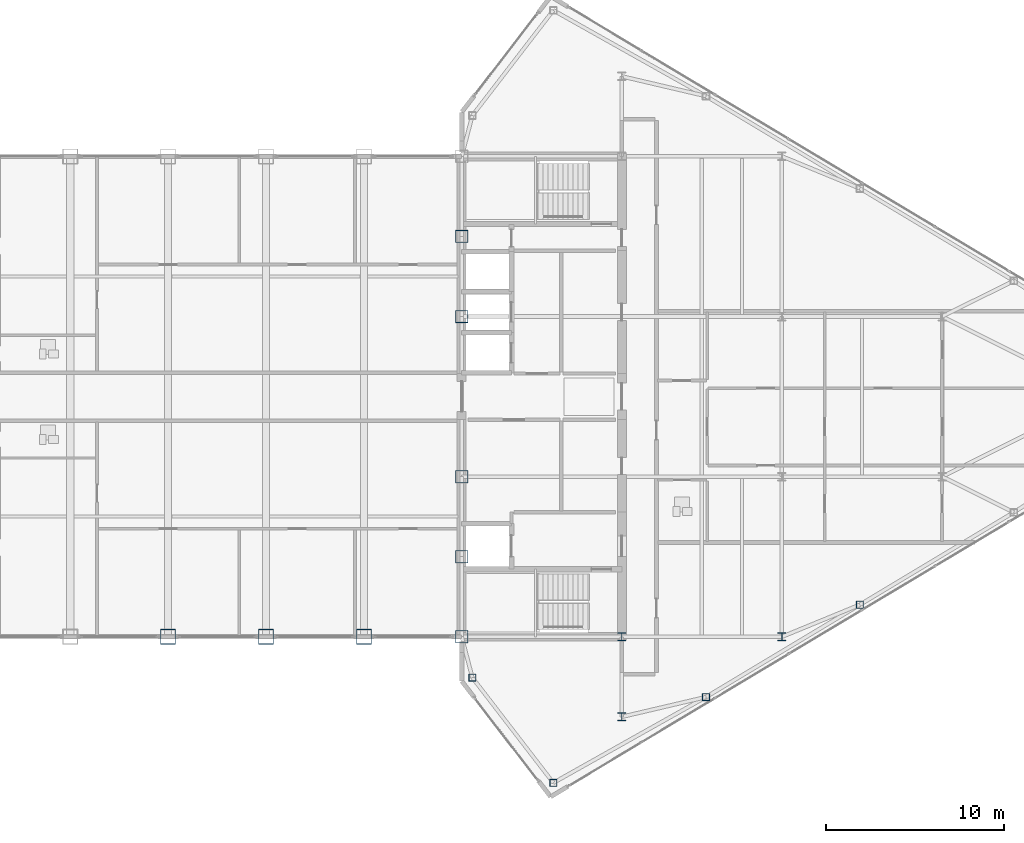
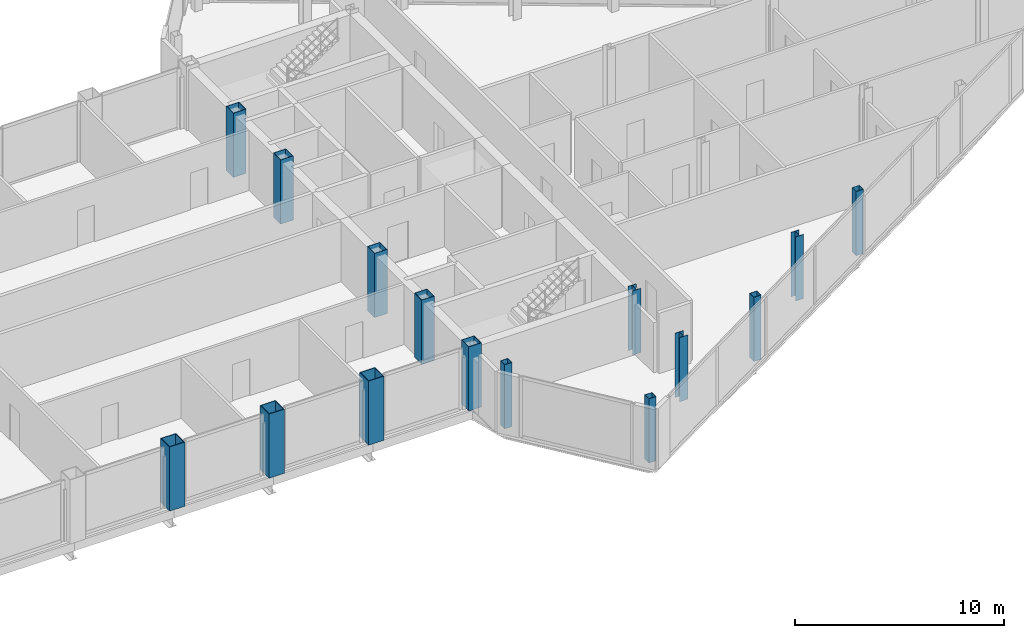
# One storey, part 4 of 29: 15 columns.
"""IFC4 building model written with IfcOpenShell, lengths in metres."""

from ifc_helpers import new_model, si_unit, direction, frame, origin, origin_2d, place, context, subcontext, project, spatial, hollow_rectangle, i_section, extrude, source, transform, mapped, material, material_profile, profile_set, type_object, type_shapes, element, save


model = new_model("IFC4")

# Units and contexts
model_context = context("Model", 3, precision=1e-05, world=origin(), true_north=direction((0.0, 1.0)))
body_context = subcontext(model_context, "Body", "Model", "MODEL_VIEW")
ifc_project = project(units=[si_unit("LENGTHUNIT", "METRE"), si_unit("AREAUNIT", "SQUARE_METRE"), si_unit("VOLUMEUNIT", "CUBIC_METRE"), si_unit("PLANEANGLEUNIT", "RADIAN"), si_unit("MASSUNIT", "GRAM", prefix="KILO")], contexts=[model_context])

# Site, building, storey
site_placement = place(None, origin())
site = spatial("IfcSite", under=ifc_project, at=site_placement, CompositionType="ELEMENT")
building_placement = place(site_placement, origin())
building = spatial("IfcBuilding", under=site, at=building_placement, Name="Seokmaru Belvedere", CompositionType="ELEMENT")
storey_placement = place(building_placement, frame((0.0, 0.0, 246.89990234375)))
storey = spatial("IfcBuildingStorey", under=building, at=storey_placement, Name="L65", CompositionType="ELEMENT", Elevation=246.89990234375)

# Columns
ifc_material_1 = material(Name="Steel SM355 (355 MPa)", Category="steel")
ifc_material_profile_1 = material_profile(ifc_material_1, hollow_rectangle(XDim=0.699951171875, YDim=0.699951171875, WallThickness=0.030029296875, at=origin_2d()), Name="BOX-700x700x30")
ifc_profile_set_1 = profile_set([ifc_material_profile_1], Name="Steel SM355 (355 MPa)")
column_type_1 = type_object("IfcColumnType", Name="Upper Spine Column BOX-700", PredefinedType="COLUMN", material=ifc_profile_set_1)
shared_shape_1 = source(origin(), body_context, "Body", "SweptSolid", [
    extrude(hollow_rectangle(XDim=0.699951171875, YDim=0.699951171875, WallThickness=0.030029296875, at=origin_2d()), origin(), (0.0, 0.0, 1.0), 3.75),
])
type_shapes(column_type_1, [shared_shape_1])
for number, where, z_axis, x_axis, name in (
    (1, (27.5, -13.5, 0.0), (0.0, 0.0, 1.0), (1.0, 0.0, 0.0), "L65 Column ES1"),
    (2, (27.5, -9.0, 0.0), (0.0, 0.0, 1.0), (1.0, 0.0, 0.0), "L65 Column ES2"),
    (3, (27.5, -4.5, 0.0), (0.0, 0.0, 1.0), (1.0, 0.0, 0.0), "L65 Column ES3"),
    (4, (27.5, 4.5, 0.0), (0.0, 0.0, 1.0), (1.0, 0.0, 0.0), "L65 Column ES4"),
    (5, (27.5, 9.0, 0.0), (0.0, 0.0, 1.0), (1.0, 0.0, 0.0), "L65 Column ES5"),
):
    element("IfcColumn", number, at=place(storey_placement, frame(where, z_axis=z_axis, x_axis=x_axis)), inside=storey, type_object=column_type_1, Name=name, PredefinedType="COLUMN", context=body_context, shape_type="MappedRepresentation", body=[
        mapped(shared_shape_1, transform((0.0, 0.0, 0.0), scale=1.0)),
    ])
ifc_material_profile_2 = material_profile(ifc_material_1, i_section(OverallWidth=0.449951171875, OverallDepth=0.449951171875, WebThickness=0.01611328125, FlangeThickness=0.02490234375, at=origin_2d()), Name="H-450x450x16x25")
ifc_profile_set_2 = profile_set([ifc_material_profile_2], Name="Steel SM355 (355 MPa)")
column_type_2 = type_object("IfcColumnType", Name="Sky-Gate Column H-450", PredefinedType="COLUMN", material=ifc_profile_set_2)
shared_shape_2 = source(origin(), body_context, "Body", "SweptSolid", [
    extrude(i_section(OverallWidth=0.449951171875, OverallDepth=0.449951171875, WebThickness=0.01611328125, FlangeThickness=0.02490234375, at=origin_2d()), origin(), (0.0, 0.0, 1.0), 3.75),
])
type_shapes(column_type_2, [shared_shape_2])
for number, where, z_axis, x_axis, name in (
    (6, (36.5, -18.0, 0.0), (0.0, 0.0, 1.0), (1.0, 0.0, 0.0), "L65 Column EC1"),
    (7, (36.5, -13.5, 0.0), (0.0, 0.0, 1.0), (1.0, 0.0, 0.0), "L65 Column EC2"),
    (8, (45.5, -13.5, 0.0), (0.0, 0.0, 1.0), (1.0, 0.0, 0.0), "L65 Column EG5_1"),
):
    element("IfcColumn", number, at=place(storey_placement, frame(where, z_axis=z_axis, x_axis=x_axis)), inside=storey, type_object=column_type_2, Name=name, PredefinedType="COLUMN", context=body_context, shape_type="MappedRepresentation", body=[
        mapped(shared_shape_2, transform((0.0, 0.0, 0.0), scale=1.0)),
    ])
ifc_material_profile_3 = material_profile(ifc_material_1, hollow_rectangle(XDim=0.39990234375, YDim=0.39990234375, WallThickness=0.01611328125, at=origin_2d()), Name="HSS-400x400x16")
ifc_profile_set_3 = profile_set([ifc_material_profile_3], Name="Steel SM355 (355 MPa)")
column_type_3 = type_object("IfcColumnType", Name="Perimeter Facet Column HSS-400", PredefinedType="COLUMN", material=ifc_profile_set_3)
shared_shape_3 = source(origin(), body_context, "Body", "SweptSolid", [
    extrude(hollow_rectangle(XDim=0.39990234375, YDim=0.39990234375, WallThickness=0.01611328125, at=origin_2d()), origin(), (0.0, 0.0, 1.0), 3.75),
])
type_shapes(column_type_3, [shared_shape_3])
for number, where, z_axis, x_axis, name in (
    (9, (32.649658203125, -21.71044921875, 0.0), (0.0, 0.0, 1.0), (1.0, 0.0, 0.0), "L65 Column EF1"),
    (10, (28.10009765625, -15.7958984375, 0.0), (0.0, 0.0, 1.0), (1.0, 0.0, 0.0), "L65 Column EF6"),
    (11, (41.229736328125, -16.888916015625, 0.0), (0.0, 0.0, 1.0), (1.0, 0.0, 0.0), "L65 Column EFLK_S1"),
    (12, (49.8798828125, -11.698974609375, 0.0), (0.0, 0.0, 1.0), (1.0, 0.0, 0.0), "L65 Column EFLK_S2"),
):
    element("IfcColumn", number, at=place(storey_placement, frame(where, z_axis=z_axis, x_axis=x_axis)), inside=storey, type_object=column_type_3, Name=name, PredefinedType="COLUMN", context=body_context, shape_type="MappedRepresentation", body=[
        mapped(shared_shape_3, transform((0.0, 0.0, 0.0), scale=1.0)),
    ])
ifc_material_2 = material(Name="Steel HSA650 (650 MPa)", Category="steel")
ifc_material_profile_4 = material_profile(ifc_material_2, hollow_rectangle(XDim=0.85009765625, YDim=0.85009765625, WallThickness=0.035888671875, at=origin_2d()), Name="BOX-850x850x36")
ifc_profile_set_4 = profile_set([ifc_material_profile_4], Name="Steel HSA650 (650 MPa)")
column_type_4 = type_object("IfcColumnType", Name="Portal Spine Column BOX-850", PredefinedType="COLUMN", material=ifc_profile_set_4)
shared_shape_4 = source(origin(), body_context, "Body", "SweptSolid", [
    extrude(hollow_rectangle(XDim=0.85009765625, YDim=0.85009765625, WallThickness=0.035888671875, at=origin_2d()), origin(), (0.0, 0.0, 1.0), 3.75),
])
type_shapes(column_type_4, [shared_shape_4])
for number, where, z_axis, x_axis, name in (
    (13, (11.0, -13.5, 0.0), (0.0, 0.0, 1.0), (1.0, 0.0, 0.0), "L65 Column BRS_7"),
    (14, (16.5, -13.5, 0.0), (0.0, 0.0, 1.0), (1.0, 0.0, 0.0), "L65 Column BRS_8"),
    (15, (22.0, -13.5, 0.0), (0.0, 0.0, 1.0), (1.0, 0.0, 0.0), "L65 Column BRS_9"),
):
    element("IfcColumn", number, at=place(storey_placement, frame(where, z_axis=z_axis, x_axis=x_axis)), inside=storey, type_object=column_type_4, Name=name, PredefinedType="COLUMN", context=body_context, shape_type="MappedRepresentation", body=[
        mapped(shared_shape_4, transform((0.0, 0.0, 0.0), scale=1.0)),
    ])

save(model, "model.ifc")
